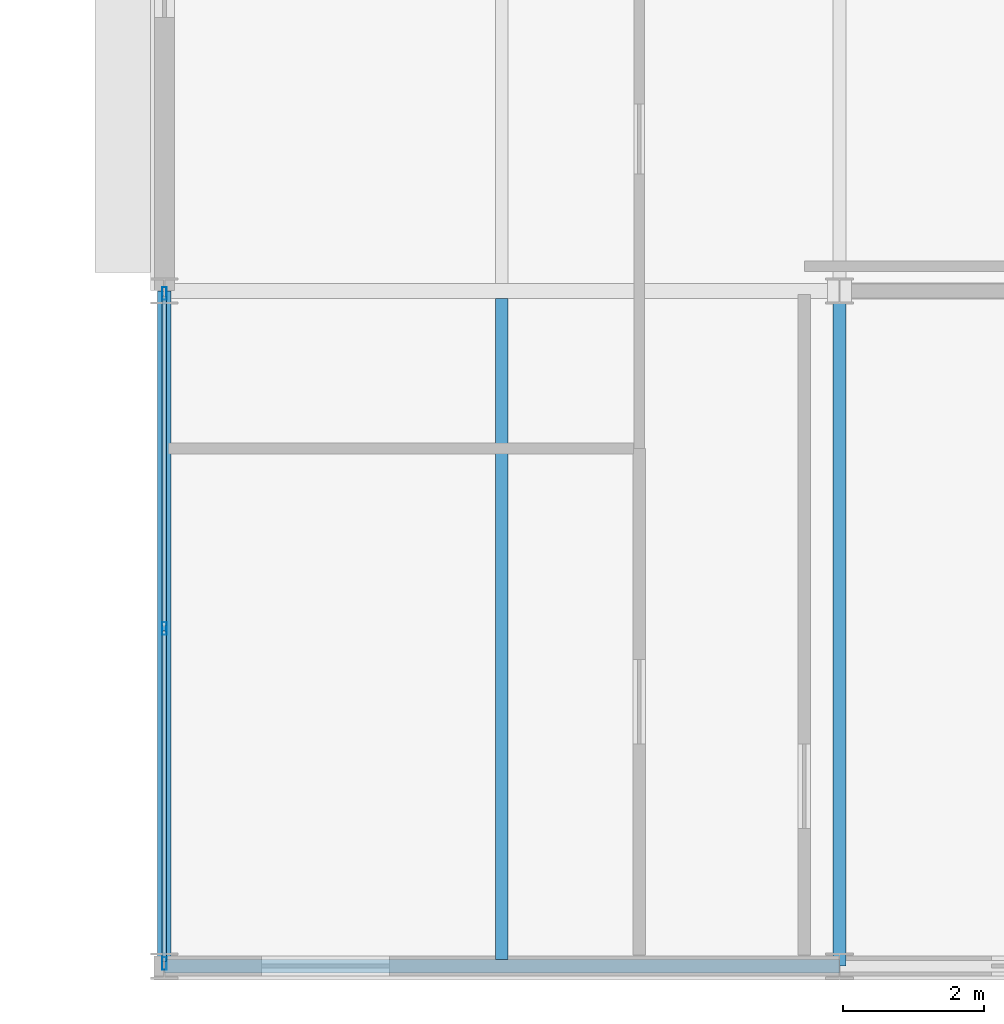
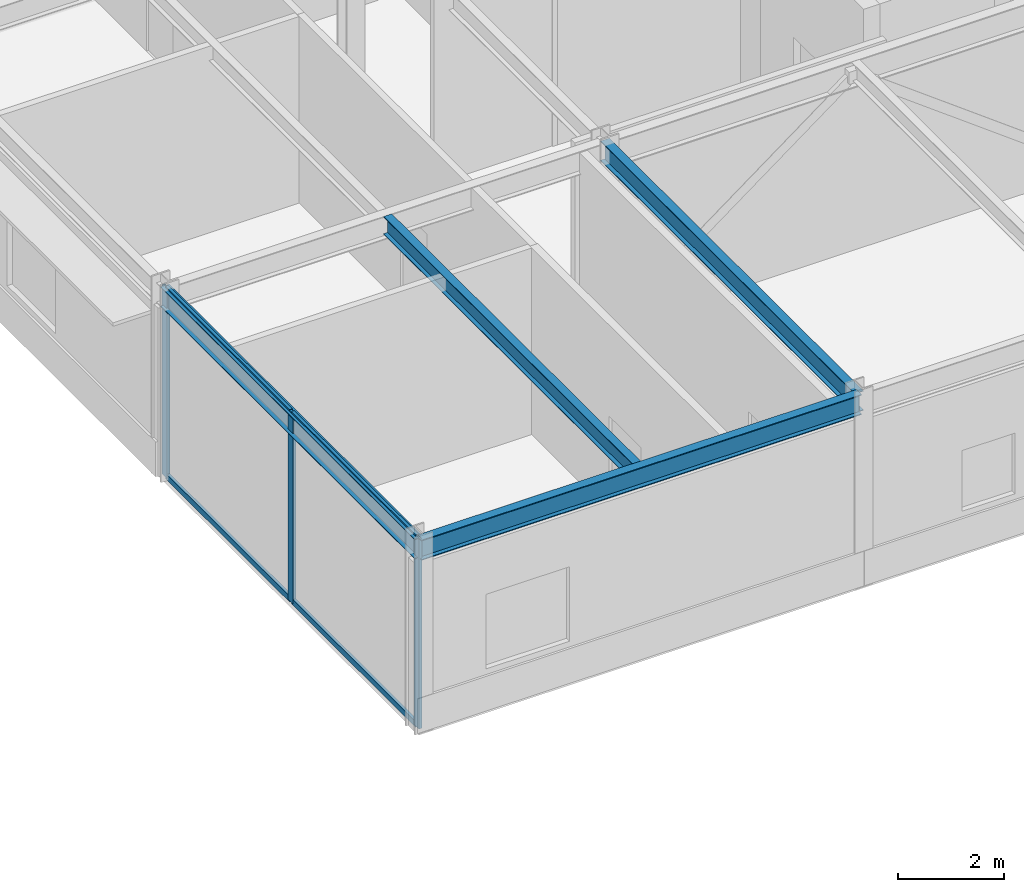
# One storey, part 66 of 116: 7 members, 4 beams, 1 element without a shape of its own.
"""IFC4 building model written with IfcOpenShell, lengths in metres."""

import ifcopenshell
import ifcopenshell.guid

model = None  # the IFC model being written
_history = None  # IfcOwnerHistory: only IFC2X3 demands one
_inside = {}  # id of a spatial element -> (the spatial element, [elements in it])
_under = {}  # id of a project, library or spatial element -> (it, [spatial elements below it])
_declared = {}  # id of a project -> (the project, [libraries it declares])
_typed = {}  # id of a type object -> (the type object, [elements of that type])
_made_of = {}  # id of a material, layer set ... -> (it, [elements and type objects made of it])


def new_model(schema):
    """Start an empty IFC model of exactly this schema.

    Asked for "IFC4X3", IfcOpenShell would pick the latest addendum, in which some entities
    have other attributes; the version numbers below select the first issue.
    IFC2X3 requires an IfcOwnerHistory on every rooted entity: one is made here for all.
    """
    global model, _history
    if schema == "IFC4X3":
        model = ifcopenshell.file(schema_version=(4, 3, 0, 0))
    else:
        model = ifcopenshell.file(schema=schema)
    _inside.clear()
    _under.clear()
    _declared.clear()
    _typed.clear()
    _made_of.clear()
    _history = None
    if model.schema == "IFC2X3":
        org = make("IfcOrganization", Name="unknown")
        user = make(
            "IfcPersonAndOrganization",
            ThePerson=make("IfcPerson", FamilyName="unknown"),
            TheOrganization=org,
        )
        app = make(
            "IfcApplication",
            ApplicationDeveloper=org,
            Version="unknown",
            ApplicationFullName="unknown",
            ApplicationIdentifier="unknown",
        )
        _history = make(
            "IfcOwnerHistory",
            OwningUser=user,
            OwningApplication=app,
            ChangeAction="ADDED",
            CreationDate=0,
        )
    return model


def make(cls, **values):
    """One entity of the class cls with the attributes given. An attribute that is None is left unset."""
    return model.create_entity(
        cls, **{name: value for name, value in values.items() if value is not None}
    )


def rooted(cls, **values):
    """An entity with a GlobalId (a new one), such as an element, a storey or a relation."""
    return make(cls, GlobalId=ifcopenshell.guid.new(), OwnerHistory=_history, **values)


def si_unit(unit_type, name, prefix=None):
    """IfcSIUnit, for example si_unit("LENGTHUNIT", "METRE", prefix="MILLI")."""
    return make("IfcSIUnit", UnitType=unit_type, Prefix=prefix, Name=name)


def assignment(units):
    """IfcUnitAssignment: the units of a project."""
    return None if units is None else make("IfcUnitAssignment", Units=units)


def point(xyz):
    """IfcCartesianPoint."""
    return None if xyz is None else make("IfcCartesianPoint", Coordinates=xyz)


def direction(xyz):
    """IfcDirection."""
    return None if xyz is None else make("IfcDirection", DirectionRatios=xyz)


def frame(location, z_axis=None, x_axis=None):
    """IfcAxis2Placement3D, a coordinate frame: its origin and axes. An axis left out is left unset."""
    return make(
        "IfcAxis2Placement3D",
        Location=point(location),
        Axis=direction(z_axis),
        RefDirection=direction(x_axis),
    )


def frame_2d(location, x_axis=None):
    """IfcAxis2Placement2D, a coordinate frame in the plane: its origin and x axis."""
    return make(
        "IfcAxis2Placement2D", Location=point(location), RefDirection=direction(x_axis)
    )


def origin():
    """The frame at (0, 0, 0) with its axes left unset."""
    return frame((0.0, 0.0, 0.0))


def origin_2d():
    """The frame at (0, 0) in the plane with its x axis left unset."""
    return frame_2d((0.0, 0.0))


def place(relative_to, where):
    """IfcLocalPlacement: puts the frame where relative to a parent placement (None: the world)."""
    return make(
        "IfcLocalPlacement", PlacementRelTo=relative_to, RelativePlacement=where
    )


def context(
    kind, dimensions, precision=None, world=None, true_north=None, identifier=None
):
    """IfcGeometricRepresentationContext, for example the 3D "Model" context."""
    return make(
        "IfcGeometricRepresentationContext",
        ContextIdentifier=identifier,
        ContextType=kind,
        CoordinateSpaceDimension=dimensions,
        Precision=precision,
        WorldCoordinateSystem=world,
        TrueNorth=true_north,
    )


def subcontext(parent, identifier, kind, view, scale=None):
    """IfcGeometricRepresentationSubContext, for example "Body" below "Model"."""
    return make(
        "IfcGeometricRepresentationSubContext",
        ContextIdentifier=identifier,
        ContextType=kind,
        ParentContext=parent,
        TargetScale=scale,
        TargetView=view,
    )


def project(units=None, contexts=None):
    """IfcProject with its units and contexts."""
    return rooted(
        "IfcProject",
        Name="project",
        RepresentationContexts=contexts,
        UnitsInContext=assignment(units),
    )


def spatial(cls, under=None, at=None, **own):
    """A site, building, storey or space (cls), placed at a placement, below another one or the project."""
    s = rooted(cls, ObjectPlacement=at, **own)
    if under is not None:
        _under.setdefault(under.id(), (under, []))[1].append(s)
    return s


def profile(cls, at=None, kind="AREA", **sizes):
    """A parametric profile (cls). Its sizes go by their IFC names, for example OverallWidth=200.0."""
    return make(cls, ProfileType=kind, Position=at, **sizes)


def hollow_rectangle(**sizes):
    """IfcRectangleHollowProfileDef."""
    return profile("IfcRectangleHollowProfileDef", **sizes)


def i_section(**sizes):
    """IfcIShapeProfileDef."""
    return profile("IfcIShapeProfileDef", **sizes)


def extrude(swept, where, along, depth):
    """IfcExtrudedAreaSolid: the profile swept, set in the frame where, extruded along a direction by depth."""
    return make(
        "IfcExtrudedAreaSolid",
        SweptArea=swept,
        Position=where,
        ExtrudedDirection=direction(along),
        Depth=depth,
    )


def shape(context_of_items, identifier, shape_type, items):
    """IfcShapeRepresentation: the items that make up one representation, for example the "Body"."""
    return make(
        "IfcShapeRepresentation",
        ContextOfItems=context_of_items,
        RepresentationIdentifier=identifier,
        RepresentationType=shape_type,
        Items=items,
    )


def material(Name=None, Category=None):
    """IfcMaterial."""
    return make("IfcMaterial", Name=Name, Category=Category)


def material_profile(
    of_material, cross_section, Name=None, Category=None, Priority=None
):
    """IfcMaterialProfile: a cross section and its material."""
    return make(
        "IfcMaterialProfile",
        Name=Name,
        Material=of_material,
        Profile=cross_section,
        Priority=Priority,
        Category=Category,
    )


def profile_set(profiles, Name=None, composite=None):
    """IfcMaterialProfileSet."""
    return make(
        "IfcMaterialProfileSet",
        Name=Name,
        MaterialProfiles=profiles,
        CompositeProfile=composite,
    )


def made_of(thing, what):
    """Note that an element or type object is made of a material, layer set ...; save() writes the relation."""
    if what is not None:
        _made_of.setdefault(what.id(), (what, []))[1].append(thing)
    return thing


def type_object(cls, material=None, **own):
    """A type object (cls), such as IfcWallType, which elements share."""
    return made_of(rooted(cls, **own), material)


def element(
    cls,
    number,
    at=None,
    inside=None,
    cuts=None,
    type_object=None,
    material=None,
    context=None,
    identifier="Body",
    shape_type=None,
    held_by="IfcProductDefinitionShape",
    body=None,
    shapes=None,
    **own,
):
    """One element of the class cls, such as IfcWall. Its Tag is "e" and its number.

    at: its placement. inside: the storey or other place that contains it. cuts: it is an
    opening in that element (IfcRelVoidsElement). A single representation is given by context,
    identifier, shape_type and body (its items); several are given by shapes. held_by: the class
    of the entity that holds the representations. save() writes the other relations.
    """
    e = rooted(cls, Tag="e%d" % number, ObjectPlacement=at, **own)
    if body is not None:
        shapes = [shape(context, identifier, shape_type, body)]
    if shapes is not None:
        e.Representation = make(held_by, Representations=shapes)
    if inside is not None:
        _inside.setdefault(inside.id(), (inside, []))[1].append(e)
    if cuts is not None:
        rooted(
            "IfcRelVoidsElement", RelatingBuildingElement=cuts, RelatedOpeningElement=e
        )
    if type_object is not None:
        _typed.setdefault(type_object.id(), (type_object, []))[1].append(e)
    return made_of(e, material)


def aggregate(whole, parts):
    """IfcRelAggregates: a whole, such as a stair, and the parts it consists of."""
    return rooted("IfcRelAggregates", RelatingObject=whole, RelatedObjects=parts)


def save(model, path):
    """Write the relations noted so far, then the file.

    IfcRelAggregates (storeys below a building ...), IfcRelContainedInSpatialStructure (elements
    in a storey), IfcRelDefinesByType, IfcRelAssociatesMaterial and IfcRelDeclares: one each for
    every whole, place, type object, material and project.
    """
    for whole, parts in _under.values():
        aggregate(whole, parts)
    for where, things in _inside.values():
        rooted(
            "IfcRelContainedInSpatialStructure",
            RelatedElements=things,
            RelatingStructure=where,
        )
    for kind, things in _typed.values():
        rooted("IfcRelDefinesByType", RelatedObjects=things, RelatingType=kind)
    for what, things in _made_of.values():
        rooted("IfcRelAssociatesMaterial", RelatedObjects=things, RelatingMaterial=what)
    for by, libraries in _declared.values():
        rooted("IfcRelDeclares", RelatingContext=by, RelatedDefinitions=libraries)
    model.write(path)


model = new_model("IFC4")

# Units and contexts
model_context = context("Model", 3, precision=1e-05, world=origin(), true_north=direction((0.0, 1.0)))
body_context = subcontext(model_context, "Body", "Model", "MODEL_VIEW")
ifc_project = project(units=[si_unit("LENGTHUNIT", "METRE"), si_unit("AREAUNIT", "SQUARE_METRE"), si_unit("VOLUMEUNIT", "CUBIC_METRE"), si_unit("PLANEANGLEUNIT", "RADIAN"), si_unit("MASSUNIT", "GRAM", prefix="KILO")], contexts=[model_context])

# Site, building, storey
site_placement = place(None, origin())
site = spatial("IfcSite", under=ifc_project, at=site_placement, CompositionType="ELEMENT")
building_placement = place(site_placement, origin())
building = spatial("IfcBuilding", under=site, at=building_placement, Name="Almandine Court Research Institute", CompositionType="ELEMENT")
storey_placement = place(building_placement, frame((0.0, 0.0, 14.35009765625)))
storey = spatial("IfcBuildingStorey", under=building, at=storey_placement, Name="L03", CompositionType="ELEMENT", Elevation=14.35009765625)

# Beams
ifc_material_1 = material(Name="Steel ASTM A992 Grade 50", Category="steel")
ifc_material_profile_1 = material_profile(ifc_material_1, i_section(OverallWidth=0.18994140625, OverallDepth=0.45703125, WebThickness=0.009033203125, FlangeThickness=0.014892578125, at=origin_2d()), Name="W460x74")
ifc_profile_set_1 = profile_set([ifc_material_profile_1], Name="Steel ASTM A992 Grade 50")
beam_type_1 = type_object("IfcBeamType", Name="Beam-B-01", PredefinedType="BEAM", material=ifc_profile_set_1)
for number, where, z_axis, x_axis, name in (
    (1, (153.60009765625, 6.0, 4.140869140625), (0.0, 1.0, 0.0), (-1.0, 0.0, 0.0), "L03 V4 Primary Y Girder"),
    (2, (163.199951171875, 6.0, 4.140869140625), (0.0, 1.0, 0.0), (-1.0, 0.0, 0.0), "L03 V4 Primary Y Girder"),
):
    element("IfcBeam", number, at=place(storey_placement, frame(where, z_axis=z_axis, x_axis=x_axis)), inside=storey, type_object=beam_type_1, Name=name, PredefinedType="BEAM", context=body_context, shape_type="SweptSolid", body=[
        extrude(i_section(OverallWidth=0.18994140625, OverallDepth=0.45703125, WebThickness=0.009033203125, FlangeThickness=0.014892578125, at=origin_2d()), origin(), (0.0, 0.0, 1.0), 9.60009765625),
    ])
ifc_material_profile_2 = material_profile(ifc_material_1, i_section(OverallWidth=0.178955078125, OverallDepth=0.409912109375, WebThickness=0.009033203125, FlangeThickness=0.013916015625, at=origin_2d()), Name="W410x67")
ifc_profile_set_2 = profile_set([ifc_material_profile_2], Name="Steel ASTM A992 Grade 50")
beam_type_2 = type_object("IfcBeamType", Name="Beam-B-02", PredefinedType="JOIST", material=ifc_profile_set_2)
beam_1_placement = place(storey_placement, frame((158.39990234375, 6.094970703125, 4.164794921875), z_axis=(0.0, 1.0, 0.0), x_axis=(-1.0, 0.0, 0.0)))
element("IfcBeam", 3, at=beam_1_placement, inside=storey, type_object=beam_type_2, Name="L03 V4 Composite Secondary Beam", PredefinedType="JOIST", context=body_context, shape_type="SweptSolid", body=[
    extrude(i_section(OverallWidth=0.178955078125, OverallDepth=0.409912109375, WebThickness=0.009033203125, FlangeThickness=0.013916015625, at=origin_2d()), origin(), (0.0, 0.0, 1.0), 9.401123046875),
])
ifc_material_profile_3 = material_profile(ifc_material_1, i_section(OverallWidth=0.193115234375, OverallDepth=0.466064453125, WebThickness=0.010986328125, FlangeThickness=0.01904296875, at=origin_2d()), Name="W460x97")
ifc_profile_set_3 = profile_set([ifc_material_profile_3], Name="Steel ASTM A992 Grade 50")
beam_type_3 = type_object("IfcBeamType", Name="Beam-G-06-E", PredefinedType="SPANDREL", material=ifc_profile_set_3)
beam_2_placement = place(storey_placement, frame((153.60009765625, 6.0, 4.136962890625), z_axis=(1.0, 0.0, 0.0), x_axis=(0.0, 1.0, 0.0)))
element("IfcBeam", 4, at=beam_2_placement, inside=storey, type_object=beam_type_3, Name="L03 V4 Primary X Girder", PredefinedType="SPANDREL", context=body_context, shape_type="SweptSolid", body=[
    extrude(i_section(OverallWidth=0.193115234375, OverallDepth=0.466064453125, WebThickness=0.010986328125, FlangeThickness=0.01904296875, at=origin_2d()), origin(), (0.0, 0.0, 1.0), 9.599853515625),
])

# Curtain wall, members
ifc_material_2 = material(Name="Unitised Curtain Wall Framing and Solar Glazing", Category="glass")
curtain_wall_type = type_object("IfcCurtainWallType", Name="CW-CWJ-02", PredefinedType="USERDEFINED", material=ifc_material_2)
curtain_wall_placement = place(storey_placement, origin())
curtain_wall = element("IfcCurtainWall", 5, at=curtain_wall_placement, inside=storey, type_object=curtain_wall_type, Name="L03 Wet Lab West Courtyard Jali Curtain Wall 1", ObjectType="SOLAR JALI SCREEN", PredefinedType="USERDEFINED")
ifc_material_3 = material(Name="Anodised Aluminium AW-6063-T6", Category="aluminium")
ifc_material_profile_4 = material_profile(ifc_material_3, hollow_rectangle(XDim=0.06494140625, YDim=0.179931640625, WallThickness=0.00390625, at=origin_2d()), Name="ALU RHS 65x180x4")
ifc_profile_set_4 = profile_set([ifc_material_profile_4], Name="Anodised Aluminium AW-6063-T6")
member_type_1 = type_object("IfcMemberType", Name="CWMul-65x180", PredefinedType="MULLION", material=ifc_profile_set_4)
member_1_placement = place(storey_placement, frame((153.60009765625, 6.03662109375, 0.0), z_axis=(0.0, 0.0, 1.0), x_axis=(-1.0, 0.0, 0.0)))
member_1 = element("IfcMember", 6, at=member_1_placement, type_object=member_type_1, Name="CWJ-02 mullion 1", PredefinedType="MULLION", context=body_context, shape_type="SweptSolid", body=[
    extrude(hollow_rectangle(XDim=0.06494140625, YDim=0.179931640625, WallThickness=0.00390625, at=origin_2d()), origin(), (0.0, 0.0, 1.0), 4.369873046875),
])
member_2_placement = place(storey_placement, frame((153.60009765625, 10.800048828125, 0.0), z_axis=(0.0, 0.0, 1.0), x_axis=(-1.0, 0.0, 0.0)))
member_2 = element("IfcMember", 7, at=member_2_placement, type_object=member_type_1, Name="CWJ-02 mullion 2", PredefinedType="MULLION", context=body_context, shape_type="SweptSolid", body=[
    extrude(hollow_rectangle(XDim=0.06494140625, YDim=0.179931640625, WallThickness=0.00390625, at=origin_2d()), origin(), (0.0, 0.0, 1.0), 4.369873046875),
])
member_3_placement = place(storey_placement, frame((153.60009765625, 15.5634765625, 0.0), z_axis=(0.0, 0.0, 1.0), x_axis=(-1.0, 0.0, 0.0)))
member_3 = element("IfcMember", 8, at=member_3_placement, type_object=member_type_1, Name="CWJ-02 mullion 3", PredefinedType="MULLION", context=body_context, shape_type="SweptSolid", body=[
    extrude(hollow_rectangle(XDim=0.06494140625, YDim=0.179931640625, WallThickness=0.00390625, at=origin_2d()), origin(), (0.0, 0.0, 1.0), 4.369873046875),
])
ifc_material_profile_5 = material_profile(ifc_material_3, hollow_rectangle(XDim=0.06494140625, YDim=0.1298828125, WallThickness=0.00390625, at=origin_2d()), Name="ALU RHS 65x130x4")
ifc_profile_set_5 = profile_set([ifc_material_profile_5], Name="Anodised Aluminium AW-6063-T6")
member_type_2 = type_object("IfcMemberType", Name="CWTrn-65x130", PredefinedType="NOTDEFINED", material=ifc_profile_set_5)
member_4_placement = place(storey_placement, frame((153.60009765625, 6.069091796875, 0.032470703125), z_axis=(0.0, 1.0, 0.0), x_axis=(-1.0, 0.0, 0.0)))
member_4 = element("IfcMember", 9, at=member_4_placement, type_object=member_type_2, Name="CWJ-02 transom 1.1", ObjectType="TRANSOM", PredefinedType="USERDEFINED", context=body_context, shape_type="SweptSolid", body=[
    extrude(hollow_rectangle(XDim=0.06494140625, YDim=0.1298828125, WallThickness=0.00390625, at=origin_2d()), origin(), (0.0, 0.0, 1.0), 4.698486328125),
])
member_5_placement = place(storey_placement, frame((153.60009765625, 6.069091796875, 4.33740234375), z_axis=(0.0, 1.0, 0.0), x_axis=(-1.0, 0.0, 0.0)))
member_5 = element("IfcMember", 10, at=member_5_placement, type_object=member_type_2, Name="CWJ-02 transom 1.2", ObjectType="TRANSOM", PredefinedType="USERDEFINED", context=body_context, shape_type="SweptSolid", body=[
    extrude(hollow_rectangle(XDim=0.06494140625, YDim=0.1298828125, WallThickness=0.00390625, at=origin_2d()), origin(), (0.0, 0.0, 1.0), 4.698486328125),
])
member_6_placement = place(storey_placement, frame((153.60009765625, 10.83251953125, 0.032470703125), z_axis=(0.0, 1.0, 0.0), x_axis=(-1.0, 0.0, 0.0)))
member_6 = element("IfcMember", 11, at=member_6_placement, type_object=member_type_2, Name="CWJ-02 transom 2.1", ObjectType="TRANSOM", PredefinedType="USERDEFINED", context=body_context, shape_type="SweptSolid", body=[
    extrude(hollow_rectangle(XDim=0.06494140625, YDim=0.1298828125, WallThickness=0.00390625, at=origin_2d()), origin(), (0.0, 0.0, 1.0), 4.698486328125),
])
member_7_placement = place(storey_placement, frame((153.60009765625, 10.83251953125, 4.33740234375), z_axis=(0.0, 1.0, 0.0), x_axis=(-1.0, 0.0, 0.0)))
member_7 = element("IfcMember", 12, at=member_7_placement, type_object=member_type_2, Name="CWJ-02 transom 2.2", ObjectType="TRANSOM", PredefinedType="USERDEFINED", context=body_context, shape_type="SweptSolid", body=[
    extrude(hollow_rectangle(XDim=0.06494140625, YDim=0.1298828125, WallThickness=0.00390625, at=origin_2d()), origin(), (0.0, 0.0, 1.0), 4.698486328125),
])
aggregate(curtain_wall, [member_1, member_2, member_3, member_4, member_5, member_6, member_7])

save(model, "model.ifc")
